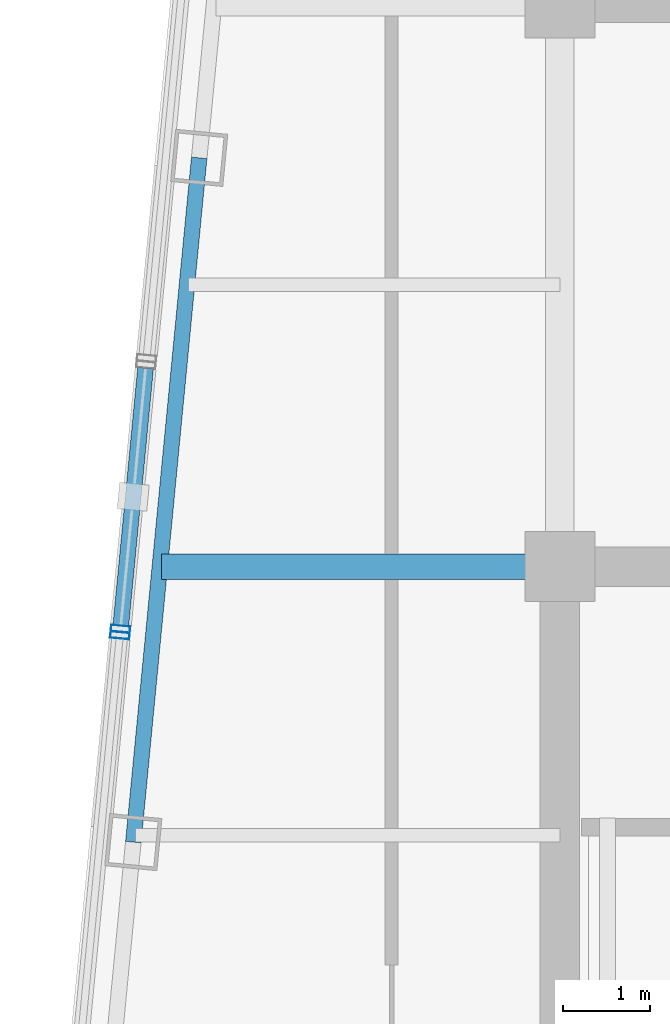
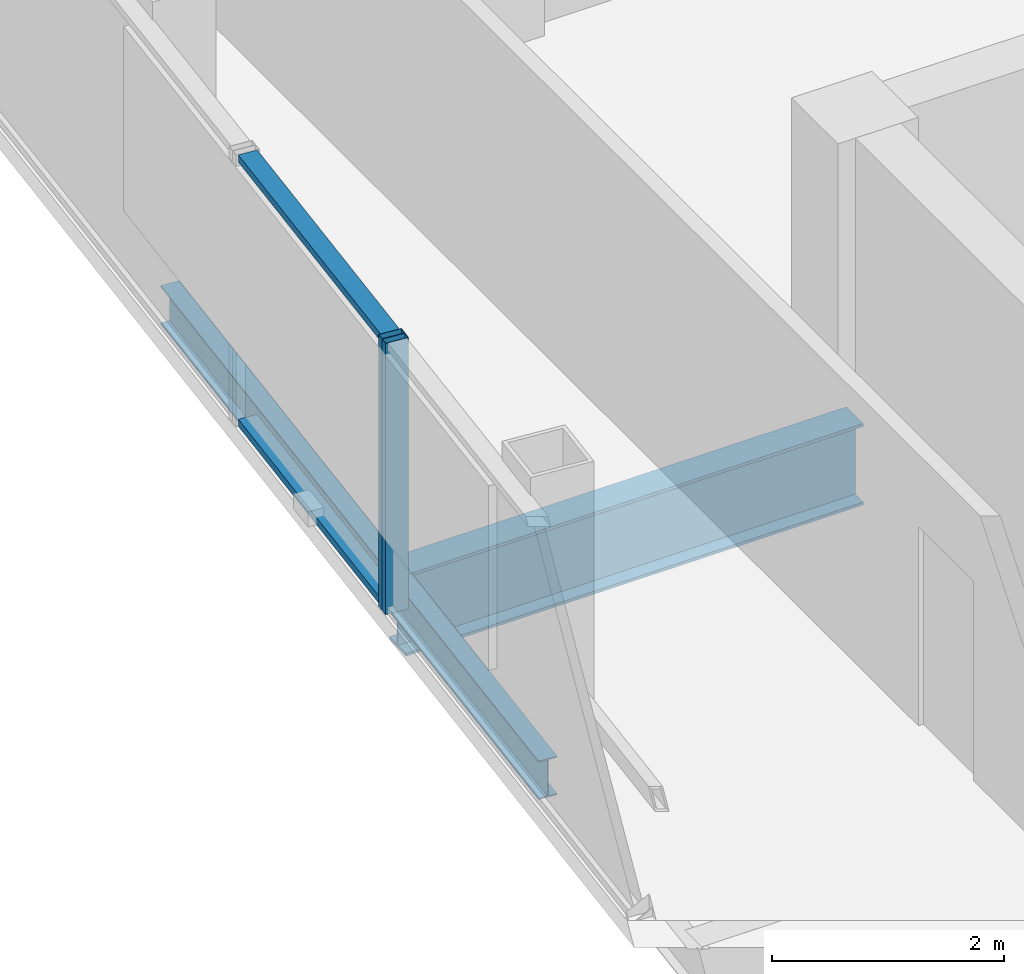
# One storey, part 7 of 26: 4 members, 2 beams, 2 elements without a shape of their own.
"""IFC4 building model written with IfcOpenShell, lengths in metres."""

from ifc_helpers import new_model, si_unit, direction, frame, origin, origin_2d, place, context, subcontext, project, spatial, hollow_rectangle, i_section, extrude, material, layer, layer_set, material_profile, profile_set, type_object, element, aggregate, save


model = new_model("IFC4")

# Units and contexts
model_context = context("Model", 3, precision=1e-05, world=origin(), true_north=direction((0.0, 1.0)))
body_context = subcontext(model_context, "Body", "Model", "MODEL_VIEW")
ifc_project = project(units=[si_unit("LENGTHUNIT", "METRE"), si_unit("AREAUNIT", "SQUARE_METRE"), si_unit("VOLUMEUNIT", "CUBIC_METRE"), si_unit("PLANEANGLEUNIT", "RADIAN"), si_unit("MASSUNIT", "GRAM", prefix="KILO")], contexts=[model_context])

# Site, building, storey
site_placement = place(None, origin())
site = spatial("IfcSite", under=ifc_project, at=site_placement, CompositionType="ELEMENT")
building_placement = place(site_placement, origin())
building = spatial("IfcBuilding", under=site, at=building_placement, Name="Qhalaya Broadcast Tower", CompositionType="ELEMENT")
storey_placement = place(building_placement, frame((0.0, 0.0, 248.949951171875)))
storey = spatial("IfcBuildingStorey", under=building, at=storey_placement, Name="L73", CompositionType="ELEMENT", Elevation=248.949951171875)

# Curtain wall, member
ifc_material_1 = material(Name="Solar-Control Low-E Triple Glazing", Category="glass")
ifc_layer_1 = layer(ifc_material_1, 0.219970703125, Name="Solar-Control Low-E Triple Glazing")
ifc_layer_set_1 = layer_set([ifc_layer_1], Name="Solar-Control Low-E Triple Glazing")
curtain_wall_type_1 = type_object("IfcCurtainWallType", Name="High-Altitude Upper-Shaft Triple Low-E Curtain Wall CW-04", PredefinedType="NOTDEFINED", material=ifc_layer_set_1)
curtain_wall_1_placement = place(storey_placement, origin())
curtain_wall_1 = element("IfcCurtainWall", 1, at=curtain_wall_1_placement, inside=storey, type_object=curtain_wall_type_1, Name="L73 Unitised Curtain Wall L73-CW-W4", PredefinedType="NOTDEFINED")
ifc_material_2 = material(Name="Anodised Aluminium 6063-T6", Category="aluminium")
ifc_material_profile_1 = material_profile(ifc_material_2, hollow_rectangle(XDim=0.074951171875, YDim=0.219970703125, WallThickness=0.00390625, at=origin_2d()), Name="ALU-MUL 75x220x4")
ifc_profile_set_1 = profile_set([ifc_material_profile_1], Name="Anodised Aluminium 6063-T6")
member_type_1 = type_object("IfcMemberType", Name="Unitised Curtain-Wall Mullion M01", PredefinedType="MULLION", material=ifc_profile_set_1)
member_1_placement = place(storey_placement, frame((-14.403076171875, -3.336669921875, 0.0), z_axis=(0.0, 0.0, 1.0), x_axis=(-0.095819626155, -0.995398713704, 0.0)))
member_1 = element("IfcMember", 2, at=member_1_placement, type_object=member_type_1, Name="CW-04 mullion 2", PredefinedType="MULLION", context=body_context, shape_type="SweptSolid", body=[
    extrude(hollow_rectangle(XDim=0.074951171875, YDim=0.219970703125, WallThickness=0.00390625, at=origin_2d()), origin(), (0.0, 0.0, 1.0), 2.860107421875),
])

ifc_material_3 = material(Name="Fired Architectural Terracotta", Category="masonry")
ifc_layer_2 = layer(ifc_material_3, 0.219970703125, Name="Fired Architectural Terracotta")
ifc_layer_set_2 = layer_set([ifc_layer_2], Name="Fired Architectural Terracotta")
curtain_wall_type_2 = type_object("IfcCurtainWallType", Name="Block-Cap Unitised Terracotta Spandrel Wall CW-07", PredefinedType="NOTDEFINED", material=ifc_layer_set_2)
curtain_wall_2_placement = place(storey_placement, origin())
curtain_wall_2 = element("IfcCurtainWall", 3, at=curtain_wall_2_placement, inside=storey, type_object=curtain_wall_type_2, Name="L73 Unitised Curtain Wall L73-CW-W5", PredefinedType="NOTDEFINED")
member_2_placement = place(storey_placement, frame((-14.410400390625, -3.411376953125, 0.0), z_axis=(0.0, 0.0, 1.0), x_axis=(-0.095849485357, -0.995395838929, 0.0)))
member_2 = element("IfcMember", 4, at=member_2_placement, type_object=member_type_1, Name="CW-07 mullion 1", PredefinedType="MULLION", context=body_context, shape_type="SweptSolid", body=[
    extrude(hollow_rectangle(XDim=0.074951171875, YDim=0.219970703125, WallThickness=0.00390625, at=origin_2d()), origin(), (0.0, 0.0, 1.0), 2.860107421875),
])
aggregate(curtain_wall_2, [member_2])

# Member
ifc_material_profile_2 = material_profile(ifc_material_2, hollow_rectangle(XDim=0.074951171875, YDim=0.179931640625, WallThickness=0.00390625, at=origin_2d()), Name="ALU-TRN 75x180x4")
ifc_profile_set_2 = profile_set([ifc_material_profile_2], Name="Anodised Aluminium 6063-T6")
member_type_2 = type_object("IfcMemberType", Name="Unitised Curtain-Wall Transom T01", PredefinedType="USERDEFINED", material=ifc_profile_set_2)
member_3_placement = place(storey_placement, frame((-14.115966796875, -0.35302734375, 0.03759765625), z_axis=(-0.095754838418, -0.995404948209, 0.0), x_axis=(0.0, 0.0, 1.0)))
member_3 = element("IfcMember", 5, at=member_3_placement, type_object=member_type_2, Name="CW-04 transom 1.1", ObjectType="TRANSOM", PredefinedType="USERDEFINED", context=body_context, shape_type="SweptSolid", body=[
    extrude(hollow_rectangle(XDim=0.074951171875, YDim=0.179931640625, WallThickness=0.00390625, at=origin_2d()), origin(), (0.0, 0.0, 1.0), 2.960205078125),
])

member_4_placement = place(storey_placement, frame((-14.115966796875, -0.35302734375, 2.822509765625), z_axis=(-0.095754838418, -0.995404948209, 0.0), x_axis=(0.0, 0.0, 1.0)))
member_4 = element("IfcMember", 6, at=member_4_placement, type_object=member_type_2, Name="CW-04 transom 1.2", ObjectType="TRANSOM", PredefinedType="USERDEFINED", context=body_context, shape_type="SweptSolid", body=[
    extrude(hollow_rectangle(XDim=0.074951171875, YDim=0.179931640625, WallThickness=0.00390625, at=origin_2d()), origin(), (0.0, 0.0, 1.0), 2.960205078125),
])

aggregate(curtain_wall_1, [member_1, member_3, member_4])

# Beams
ifc_material_4 = material(Name="Structural Steel ASTM A992 Grade 50", Category="steel")
ifc_material_profile_3 = material_profile(ifc_material_4, i_section(OverallWidth=0.2919921875, OverallDepth=0.85888671875, WebThickness=0.01708984375, FlangeThickness=0.031005859375, at=origin_2d()), Name="W33X169")
ifc_profile_set_3 = profile_set([ifc_material_profile_3], Name="Structural Steel ASTM A992 Grade 50")
beam_type_1 = type_object("IfcBeamType", Name="Upper Block Primary Girder PG4", PredefinedType="USERDEFINED", material=ifc_profile_set_3)
beam_1_placement = place(storey_placement, frame((-13.9326171875, -2.625, -0.619384765625), z_axis=(1.0, 0.0, 0.0), x_axis=(0.0, 1.0, 0.0)))
element("IfcBeam", 7, at=beam_1_placement, inside=storey, type_object=beam_type_1, Name="L73 PG4 L73-PGYW2-1", ObjectType="GIRDER", PredefinedType="USERDEFINED", context=body_context, shape_type="SweptSolid", body=[
    extrude(i_section(OverallWidth=0.2919921875, OverallDepth=0.85888671875, WebThickness=0.01708984375, FlangeThickness=0.031005859375, at=origin_2d()), origin(), (0.0, 0.0, 1.0), 4.5576171875),
])
ifc_material_profile_4 = material_profile(ifc_material_4, i_section(OverallWidth=0.177978515625, OverallDepth=0.406005859375, WebThickness=0.0078125, FlangeThickness=0.0126953125, at=origin_2d()), Name="W16X40")
ifc_profile_set_4 = profile_set([ifc_material_profile_4], Name="Structural Steel ASTM A992 Grade 50")
beam_type_2 = type_object("IfcBeamType", Name="Upper Perimeter Spandrel Beam SP2", PredefinedType="SPANDREL", material=ifc_profile_set_4)
beam_2_placement = place(storey_placement, frame((-13.50244140625, 2.052490234375, -0.39306640625), z_axis=(-0.095837184179, -0.995397023367, 0.0), x_axis=(0.995397023367, -0.095837184179, 0.0)))
element("IfcBeam", 8, at=beam_2_placement, inside=storey, type_object=beam_type_2, Name="L73 SP2 L73-SPR-14", PredefinedType="SPANDREL", context=body_context, shape_type="SweptSolid", body=[
    extrude(i_section(OverallWidth=0.177978515625, OverallDepth=0.406005859375, WebThickness=0.0078125, FlangeThickness=0.0126953125, at=origin_2d()), origin(), (0.0, 0.0, 1.0), 7.866455078125),
])

save(model, "model.ifc")
